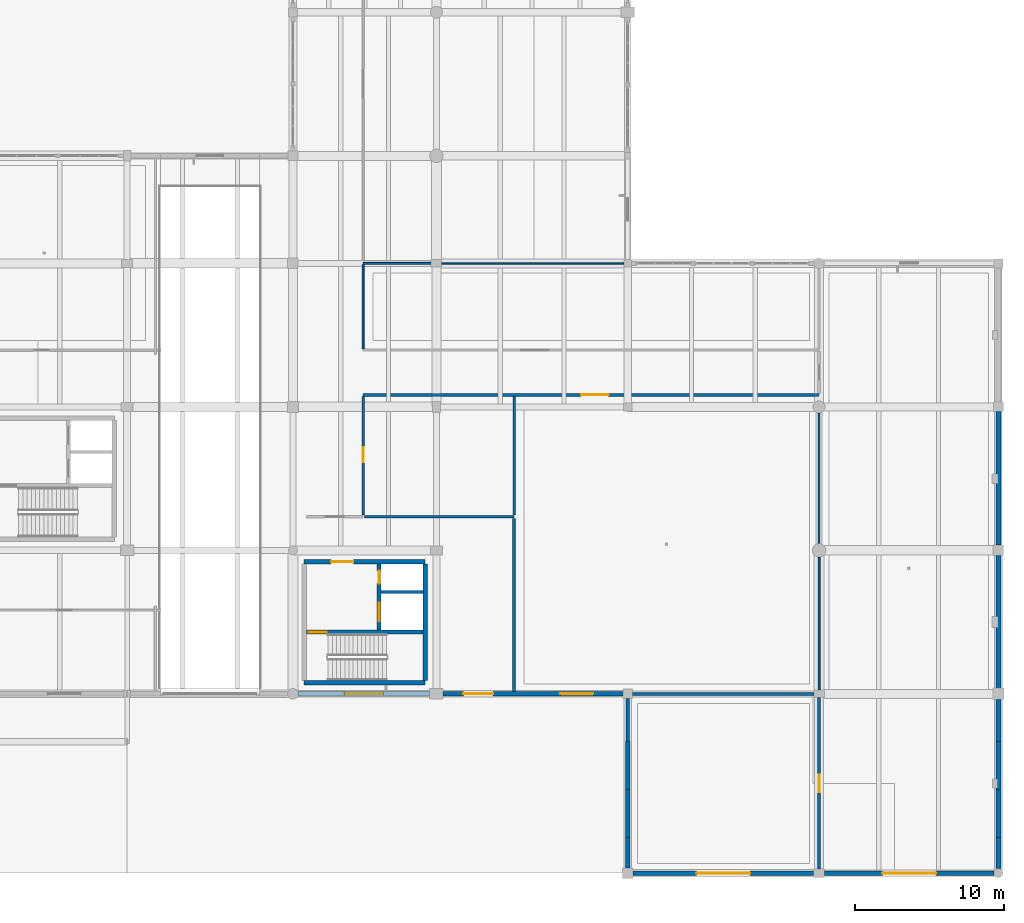
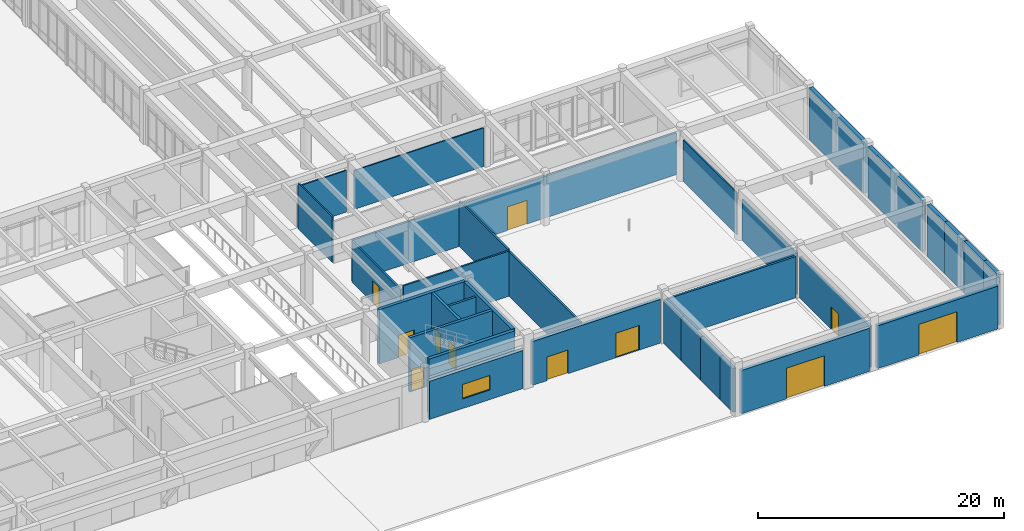
# One storey, part 115 of 138: 32 walls, 11 doors, 1 window, 12 openings.
"""IFC4 building model written with IfcOpenShell, lengths in metres."""

from ifc_helpers import new_model, si_unit, direction, frame, frame_2d, origin, place, context, subcontext, project, spatial, rectangle, extrude, material, layer, layer_set, type_object, element, fill, save


model = new_model("IFC4")

# Units and contexts
model_context = context("Model", 3, precision=1e-05, world=origin(), true_north=direction((0.0, 1.0)))
body_context = subcontext(model_context, "Body", "Model", "MODEL_VIEW")
ifc_project = project(units=[si_unit("LENGTHUNIT", "METRE"), si_unit("AREAUNIT", "SQUARE_METRE"), si_unit("VOLUMEUNIT", "CUBIC_METRE"), si_unit("PLANEANGLEUNIT", "RADIAN"), si_unit("MASSUNIT", "GRAM", prefix="KILO")], contexts=[model_context])

# Site, building, storey
site_placement = place(None, origin())
site = spatial("IfcSite", under=ifc_project, at=site_placement, CompositionType="ELEMENT")
building_placement = place(site_placement, origin())
building = spatial("IfcBuilding", under=site, at=building_placement, Name="Fikremerkos Civic Library", CompositionType="ELEMENT")
storey_placement = place(building_placement, origin())
storey = spatial("IfcBuildingStorey", under=building, at=storey_placement, Name="L00", CompositionType="ELEMENT", Elevation=0.0)

# Wall
ifc_material_1 = material(Name="Concrete C40/50", Category="concrete")
ifc_layer_1 = layer(ifc_material_1, 0.300048828125, Name="Concrete C40/50")
ifc_layer_set_1 = layer_set([ifc_layer_1], Name="Concrete C40/50")
wall_type_1 = type_object("IfcWallType", Name="Core shear wall CSW-01 300", PredefinedType="SHEAR", material=ifc_layer_set_1)
wall_1_placement = place(storey_placement, frame((133.64990234375, 12.75, 0.0), z_axis=(0.0, 0.0, 1.0), x_axis=(-1.0, 0.0, 0.0)))
element("IfcWall", 1, at=wall_1_placement, inside=storey, type_object=wall_type_1, Name="Core K4 south shear wall L00", PredefinedType="SHEAR", context=body_context, shape_type="SweptSolid", body=[
    extrude(rectangle(XDim=8.099853515625, YDim=0.300048828125, at=frame_2d((4.0498046875, 0.0))), origin(), (0.0, 0.0, 1.0), 5.39990234375),
])

# Wall, opening, door
wall_2_placement = place(storey_placement, frame((125.550048828125, 20.85009765625, 0.0), z_axis=(0.0, 0.0, 1.0), x_axis=(1.0, 0.0, 0.0)))
wall_2 = element("IfcWall", 2, at=wall_2_placement, inside=storey, type_object=wall_type_1, Name="Core K4 north shear wall L00", PredefinedType="SHEAR", context=body_context, shape_type="SweptSolid", body=[
    extrude(rectangle(XDim=8.099853515625, YDim=0.300048828125, at=frame_2d((4.0498046875, 0.0))), origin(), (0.0, 0.0, 1.0), 5.39990234375),
])
opening_1_placement = place(wall_2_placement, frame((1.800048828125, 0.0, 0.0)))
opening_1 = element("IfcOpeningElement", 3, at=opening_1_placement, cuts=wall_2, Name="Opening D107", PredefinedType="OPENING", context=body_context, shape_type="SweptSolid", body=[
    extrude(rectangle(XDim=1.5, YDim=2.25, at=frame_2d((0.75, 1.125))), frame((0.0, 0.159912109375, 0.0), z_axis=(0.0, -1.0, 0.0), x_axis=(1.0, 0.0, 0.0)), (0.0, 0.0, 1.0), 0.320068359375),
])
ifc_material_2 = material(Name="Hardwood timber and acoustic glass", Category="wood")
door_type_1 = type_object("IfcDoorType", Name="Pedestrian door DT-05 1500x2250", OperationType="NOTDEFINED", PredefinedType="DOOR", material=ifc_material_2)
door_1_placement = place(opening_1_placement, origin())
door_1 = element("IfcDoor", 4, at=door_1_placement, inside=storey, type_object=door_type_1, Name="Core K4 lobby fire door D107 L00", OperationType="SINGLE_SWING_LEFT", OverallHeight=2.25, OverallWidth=1.5, PredefinedType="DOOR", context=body_context, shape_type="SweptSolid", body=[
    extrude(rectangle(XDim=1.5, YDim=2.25, at=frame_2d((0.75, 1.125))), frame((0.0, 0.032470703125, 0.0), z_axis=(0.0, -1.0, 0.0), x_axis=(1.0, 0.0, 0.0)), (0.0, 0.0, 1.0), 0.06494140625),
])
fill(opening_1, door_1)

# Wall
wall_3_placement = place(storey_placement, frame((133.64990234375, 20.697998046875, 0.0), z_axis=(0.0, 0.0, 1.0), x_axis=(0.0, -1.0, 0.0)))
element("IfcWall", 5, at=wall_3_placement, inside=storey, type_object=wall_type_1, Name="Core K4 east shear wall L00", PredefinedType="SHEAR", context=body_context, shape_type="SweptSolid", body=[
    extrude(rectangle(XDim=7.7958984375, YDim=0.300048828125, at=frame_2d((3.89794921875, 0.0))), origin(), (0.0, 0.0, 1.0), 5.39990234375),
])

# Wall, opening, door
ifc_layer_2 = layer(ifc_material_1, 0.260009765625, Name="Concrete C40/50")
ifc_layer_set_2 = layer_set([ifc_layer_2], Name="Concrete C40/50")
wall_type_2 = type_object("IfcWallType", Name="Core shear wall CSW-02 260", PredefinedType="SHEAR", material=ifc_layer_set_2)
wall_4_placement = place(storey_placement, frame((125.701904296875, 16.1298828125, 0.0), z_axis=(0.0, 0.0, 1.0), x_axis=(1.0, 0.0, 0.0)))
wall_4 = element("IfcWall", 6, at=wall_4_placement, inside=storey, type_object=wall_type_2, Name="Core K4 stair compartment wall L00", PredefinedType="SHEAR", context=body_context, shape_type="SweptSolid", body=[
    extrude(rectangle(XDim=7.796142578125, YDim=0.260009765625, at=frame_2d((3.89794921875, 0.0))), origin(), (0.0, 0.0, 1.0), 5.39990234375),
])
opening_2_placement = place(wall_4_placement, frame((0.14794921875, 0.0, 0.0)))
opening_2 = element("IfcOpeningElement", 7, at=opening_2_placement, cuts=wall_4, Name="Opening D108", PredefinedType="OPENING", context=body_context, shape_type="SweptSolid", body=[
    extrude(rectangle(XDim=1.199951171875, YDim=2.199951171875, at=frame_2d((0.60009765625, 1.10009765625))), frame((0.0, 0.139892578125, 0.0), z_axis=(0.0, -1.0, 0.0), x_axis=(1.0, 0.0, 0.0)), (0.0, 0.0, 1.0), 0.280029296875),
])
door_type_2 = type_object("IfcDoorType", Name="Pedestrian door DT-06 1200x2200", OperationType="NOTDEFINED", PredefinedType="DOOR", material=ifc_material_2)
door_2_placement = place(opening_2_placement, origin())
door_2 = element("IfcDoor", 8, at=door_2_placement, inside=storey, type_object=door_type_2, Name="Core K4 stair fire door D108 L00", OperationType="SINGLE_SWING_RIGHT", OverallHeight=2.199951171875, OverallWidth=1.199951171875, PredefinedType="DOOR", context=body_context, shape_type="SweptSolid", body=[
    extrude(rectangle(XDim=1.199951171875, YDim=2.199951171875, at=frame_2d((0.60009765625, 1.10009765625))), frame((0.0, 0.032470703125, 0.0), z_axis=(0.0, -1.0, 0.0), x_axis=(1.0, 0.0, 0.0)), (0.0, 0.0, 1.0), 0.06494140625),
])
fill(opening_2, door_2)

# Wall, openings, doors
wall_5_placement = place(storey_placement, frame((130.570068359375, 16.261962890625, 0.0), z_axis=(0.0, 0.0, 1.0), x_axis=(0.0, 1.0, 0.0)))
wall_5 = element("IfcWall", 9, at=wall_5_placement, inside=storey, type_object=wall_type_2, Name="Core K4 lift shaft front wall L00", PredefinedType="SHEAR", context=body_context, shape_type="SweptSolid", body=[
    extrude(rectangle(XDim=4.43603515625, YDim=0.260009765625, at=frame_2d((2.218017578125, 0.0))), origin(), (0.0, 0.0, 1.0), 5.39990234375),
])
opening_3_placement = place(wall_5_placement, frame((3.113037109375, 0.0, 0.0)))
opening_3 = element("IfcOpeningElement", 10, at=opening_3_placement, cuts=wall_5, Name="Opening D109", PredefinedType="OPENING", context=body_context, shape_type="SweptSolid", body=[
    extrude(rectangle(XDim=0.85009765625, YDim=2.050048828125, at=frame_2d((0.425048828125, 1.02490234375))), frame((0.0, 0.139892578125, 0.0), z_axis=(0.0, -1.0, 0.0), x_axis=(1.0, 0.0, 0.0)), (0.0, 0.0, 1.0), 0.280029296875),
])
opening_4_placement = place(wall_5_placement, frame((0.593017578125, 0.0, 0.0)))
opening_4 = element("IfcOpeningElement", 11, at=opening_4_placement, cuts=wall_5, Name="Opening LD51", PredefinedType="OPENING", context=body_context, shape_type="SweptSolid", body=[
    extrude(rectangle(XDim=1.25, YDim=2.199951171875, at=frame_2d((0.625, 1.10009765625))), frame((0.0, 0.139892578125, 0.0), z_axis=(0.0, -1.0, 0.0), x_axis=(1.0, 0.0, 0.0)), (0.0, 0.0, 1.0), 0.280029296875),
])
ifc_material_3 = material(Name="Brushed stainless steel", Category="steel")
door_type_3 = type_object("IfcDoorType", Name="Lift landing door LDT-02 1250x2200", OperationType="NOTDEFINED", PredefinedType="DOOR", material=ifc_material_3)
door_3_placement = place(opening_4_placement, origin())
door_3 = element("IfcDoor", 12, at=door_3_placement, inside=storey, type_object=door_type_3, Name="Lift LF07 sliding landing door LD51 L00", OperationType="SLIDING_TO_LEFT", OverallHeight=2.199951171875, OverallWidth=1.25, PredefinedType="DOOR", context=body_context, shape_type="SweptSolid", body=[
    extrude(rectangle(XDim=1.25, YDim=2.199951171875, at=frame_2d((0.625, 1.10009765625))), frame((0.0, 0.032470703125, 0.0), z_axis=(0.0, -1.0, 0.0), x_axis=(1.0, 0.0, 0.0)), (0.0, 0.0, 1.0), 0.06494140625),
])
fill(opening_4, door_3)
door_type_4 = type_object("IfcDoorType", Name="Pedestrian door DT-08 850x2050", OperationType="NOTDEFINED", PredefinedType="DOOR", material=ifc_material_2)
door_4_placement = place(opening_3_placement, origin())
door_4 = element("IfcDoor", 13, at=door_4_placement, inside=storey, type_object=door_type_4, Name="Core K4 riser access fire door D109 L00", OperationType="SINGLE_SWING_RIGHT", OverallHeight=2.050048828125, OverallWidth=0.85009765625, PredefinedType="DOOR", context=body_context, shape_type="SweptSolid", body=[
    extrude(rectangle(XDim=0.85009765625, YDim=2.050048828125, at=frame_2d((0.425048828125, 1.02490234375))), frame((0.0, 0.032470703125, 0.0), z_axis=(0.0, -1.0, 0.0), x_axis=(1.0, 0.0, 0.0)), (0.0, 0.0, 1.0), 0.06494140625),
])
fill(opening_3, door_4)

# Walls
ifc_layer_3 = layer(ifc_material_1, 0.35009765625, Name="Concrete C40/50")
ifc_layer_set_3 = layer_set([ifc_layer_3], Name="Concrete C40/50")
wall_type_3 = type_object("IfcWallType", Name="Exterior solid wall ESW-01 350", PredefinedType="SOLIDWALL", material=ifc_layer_set_3)
wall_6_placement = place(storey_placement, frame((172.0, 30.876953125, 0.0), z_axis=(0.0, 0.0, 1.0), x_axis=(0.0, -1.0, 0.0)))
element("IfcWall", 14, at=wall_6_placement, inside=storey, type_object=wall_type_3, Name="Party boundary wall ESW-01 L00 #308", PredefinedType="SOLIDWALL", context=body_context, shape_type="SweptSolid", body=[
    extrude(rectangle(XDim=8.928955078125, YDim=0.35009765625, at=frame_2d((4.46435546875, 0.0))), origin(), (0.0, 0.0, 1.0), 5.10009765625),
])
wall_7_placement = place(storey_placement, frame((172.0, 21.251953125, 0.0), z_axis=(0.0, 0.0, 1.0), x_axis=(0.0, -1.0, 0.0)))
element("IfcWall", 15, at=wall_7_placement, inside=storey, type_object=wall_type_3, Name="Party boundary wall ESW-01 L00 #309", PredefinedType="SOLIDWALL", context=body_context, shape_type="SweptSolid", body=[
    extrude(rectangle(XDim=8.87890625, YDim=0.35009765625, at=frame_2d((4.439453125, 0.0))), origin(), (0.0, 0.0, 1.0), 5.10009765625),
])
wall_8_placement = place(storey_placement, frame((172.0, 11.626953125, 0.0), z_axis=(0.0, 0.0, 1.0), x_axis=(0.0, -1.0, 0.0)))
element("IfcWall", 16, at=wall_8_placement, inside=storey, type_object=wall_type_3, Name="Party boundary wall ESW-01 L00 #310", PredefinedType="SOLIDWALL", context=body_context, shape_type="SweptSolid", body=[
    extrude(rectangle(XDim=2.824951171875, YDim=0.35009765625, at=frame_2d((1.41259765625, 0.0))), origin(), (0.0, 0.0, 1.0), 5.159912109375),
])
wall_9_placement = place(storey_placement, frame((172.0, 8.798095703125, 0.0), z_axis=(0.0, 0.0, 1.0), x_axis=(0.0, -1.0, 0.0)))
element("IfcWall", 17, at=wall_9_placement, inside=storey, type_object=wall_type_3, Name="Party boundary wall ESW-01 L00 #311", PredefinedType="SOLIDWALL", context=body_context, shape_type="SweptSolid", body=[
    extrude(rectangle(XDim=3.196044921875, YDim=0.35009765625, at=frame_2d((1.59814453125, 0.0))), origin(), (0.0, 0.0, 1.0), 5.159912109375),
])
wall_10_placement = place(storey_placement, frame((172.0, 5.597900390625, 0.0), z_axis=(0.0, 0.0, 1.0), x_axis=(0.0, -1.0, 0.0)))
element("IfcWall", 18, at=wall_10_placement, inside=storey, type_object=wall_type_3, Name="Party boundary wall ESW-01 L00 #312", PredefinedType="SOLIDWALL", context=body_context, shape_type="SweptSolid", body=[
    extrude(rectangle(XDim=3.19580078125, YDim=0.35009765625, at=frame_2d((1.597900390625, 0.0))), origin(), (0.0, 0.0, 1.0), 5.159912109375),
])
wall_11_placement = place(storey_placement, frame((172.0, 2.39794921875, 0.0), z_axis=(0.0, 0.0, 1.0), x_axis=(0.0, -1.0, 0.0)))
element("IfcWall", 19, at=wall_11_placement, inside=storey, type_object=wall_type_3, Name="Party boundary wall ESW-01 L00 #313", PredefinedType="SOLIDWALL", context=body_context, shape_type="SweptSolid", body=[
    extrude(rectangle(XDim=2.099853515625, YDim=0.35009765625, at=frame_2d((1.0498046875, 0.0))), origin(), (0.0, 0.0, 1.0), 5.159912109375),
])

# Wall, opening, door
ifc_material_4 = material(Name="Precast concrete C40/50", Category="concrete")
ifc_layer_4 = layer(ifc_material_4, 0.320068359375, Name="Precast concrete C40/50")
ifc_layer_set_4 = layer_set([ifc_layer_4], Name="Precast concrete C40/50")
wall_type_4 = type_object("IfcWallType", Name="Exterior solid wall ESW-02 320", PredefinedType="SOLIDWALL", material=ifc_layer_set_4)
wall_12_placement = place(storey_placement, frame((171.701904296875, 0.0, 0.0), z_axis=(0.0, 0.0, 1.0), x_axis=(-1.0, 0.0, 0.0)))
wall_12 = element("IfcWall", 20, at=wall_12_placement, inside=storey, type_object=wall_type_4, Name="Exterior ground wall ESW-02 #314", PredefinedType="SOLIDWALL", context=body_context, shape_type="SweptSolid", body=[
    extrude(rectangle(XDim=11.328857421875, YDim=0.320068359375, at=frame_2d((5.66455078125, 0.0))), origin(), (0.0, 0.0, 1.0), 4.25),
])
opening_5_placement = place(wall_12_placement, frame((3.864501953125, 0.0, 0.0)))
opening_5 = element("IfcOpeningElement", 21, at=opening_5_placement, cuts=wall_12, Name="Opening VG05", PredefinedType="OPENING", context=body_context, shape_type="SweptSolid", body=[
    extrude(rectangle(XDim=3.60009765625, YDim=3.050048828125, at=frame_2d((1.800048828125, 1.52490234375))), frame((0.0, 0.169921875, 0.0), z_axis=(0.0, -1.0, 0.0), x_axis=(1.0, 0.0, 0.0)), (0.0, 0.0, 1.0), 0.340087890625),
])
ifc_material_5 = material(Name="Galvanized insulated steel lath", Category="steel")
door_type_5 = type_object("IfcDoorType", Name="Service roller gate VG-03 3600x3050", OperationType="ROLLINGUP", PredefinedType="GATE", material=ifc_material_5)
door_5_placement = place(opening_5_placement, origin())
door_5 = element("IfcDoor", 22, at=door_5_placement, inside=storey, type_object=door_type_5, Name="Service roller gate VG05", OperationType="ROLLINGUP", OverallHeight=3.050048828125, OverallWidth=3.60009765625, PredefinedType="GATE", context=body_context, shape_type="SweptSolid", body=[
    extrude(rectangle(XDim=3.60009765625, YDim=3.050048828125, at=frame_2d((1.800048828125, 1.52490234375))), frame((0.0, 0.032470703125, 0.0), z_axis=(0.0, -1.0, 0.0), x_axis=(1.0, 0.0, 0.0)), (0.0, 0.0, 1.0), 0.06494140625),
])
fill(opening_5, door_5)

wall_13_placement = place(storey_placement, frame((159.626953125, 0.0, 0.0), z_axis=(0.0, 0.0, 1.0), x_axis=(-1.0, 0.0, 0.0)))
wall_13 = element("IfcWall", 23, at=wall_13_placement, inside=storey, type_object=wall_type_4, Name="Exterior ground wall ESW-02 #315", PredefinedType="SOLIDWALL", context=body_context, shape_type="SweptSolid", body=[
    extrude(rectangle(XDim=12.078857421875, YDim=0.320068359375, at=frame_2d((6.03955078125, 0.0))), origin(), (0.0, 0.0, 1.0), 4.300048828125),
])
opening_6_placement = place(wall_13_placement, frame((4.239501953125, 0.0, 0.0)))
opening_6 = element("IfcOpeningElement", 24, at=opening_6_placement, cuts=wall_13, Name="Opening VG06", PredefinedType="OPENING", context=body_context, shape_type="SweptSolid", body=[
    extrude(rectangle(XDim=3.60009765625, YDim=3.050048828125, at=frame_2d((1.800048828125, 1.52490234375))), frame((0.0, 0.169921875, 0.0), z_axis=(0.0, -1.0, 0.0), x_axis=(1.0, 0.0, 0.0)), (0.0, 0.0, 1.0), 0.340087890625),
])
door_6_placement = place(opening_6_placement, origin())
door_6 = element("IfcDoor", 25, at=door_6_placement, inside=storey, type_object=door_type_5, Name="Service roller gate VG06", OperationType="ROLLINGUP", OverallHeight=3.050048828125, OverallWidth=3.60009765625, PredefinedType="GATE", context=body_context, shape_type="SweptSolid", body=[
    extrude(rectangle(XDim=3.60009765625, YDim=3.050048828125, at=frame_2d((1.800048828125, 1.52490234375))), frame((0.0, 0.032470703125, 0.0), z_axis=(0.0, -1.0, 0.0), x_axis=(1.0, 0.0, 0.0)), (0.0, 0.0, 1.0), 0.06494140625),
])
fill(opening_6, door_6)

# Wall
wall_14_placement = place(storey_placement, frame((147.199951171875, 0.347900390625, 0.0), z_axis=(0.0, 0.0, 1.0), x_axis=(0.0, 1.0, 0.0)))
element("IfcWall", 26, at=wall_14_placement, inside=storey, type_object=wall_type_4, Name="Exterior solid wall ESW-02 L00 #316", PredefinedType="SOLIDWALL", context=body_context, shape_type="SweptSolid", body=[
    extrude(rectangle(XDim=2.050048828125, YDim=0.320068359375, at=frame_2d((1.02490234375, 0.0))), origin(), (0.0, 0.0, 1.0), 4.35009765625),
])

# Wall, openings, doors
wall_15_placement = place(storey_placement, frame((146.876953125, 12.0, 0.0), z_axis=(0.0, 0.0, 1.0), x_axis=(-1.0, 0.0, 0.0)))
wall_15 = element("IfcWall", 27, at=wall_15_placement, inside=storey, type_object=wall_type_4, Name="Exterior ground wall ESW-02 #320", PredefinedType="SOLIDWALL", context=body_context, shape_type="SweptSolid", body=[
    extrude(rectangle(XDim=12.029052734375, YDim=0.320068359375, at=frame_2d((6.0146484375, 0.0))), origin(), (0.0, 0.0, 1.0), 4.35009765625),
])
opening_7_placement = place(wall_15_placement, frame((8.677001953125, 0.0, 0.0)))
opening_7 = element("IfcOpeningElement", 28, at=opening_7_placement, cuts=wall_15, Name="Opening D021", PredefinedType="OPENING", context=body_context, shape_type="SweptSolid", body=[
    extrude(rectangle(XDim=2.0, YDim=2.35009765625, at=frame_2d((1.0, 1.175048828125))), frame((0.0, 0.169921875, 0.0), z_axis=(0.0, -1.0, 0.0), x_axis=(1.0, 0.0, 0.0)), (0.0, 0.0, 1.0), 0.340087890625),
])
opening_8_placement = place(wall_15_placement, frame((1.97705078125, 0.0, 0.0)))
opening_8 = element("IfcOpeningElement", 29, at=opening_8_placement, cuts=wall_15, Name="Opening D022", PredefinedType="OPENING", context=body_context, shape_type="SweptSolid", body=[
    extrude(rectangle(XDim=2.199951171875, YDim=2.449951171875, at=frame_2d((1.10009765625, 1.22509765625))), frame((0.0, 0.169921875, 0.0), z_axis=(0.0, -1.0, 0.0), x_axis=(1.0, 0.0, 0.0)), (0.0, 0.0, 1.0), 0.340087890625),
])
ifc_material_6 = material(Name="Thermally broken bronze aluminium and glass", Category="aluminium")
door_type_6 = type_object("IfcDoorType", Name="Pedestrian door DT-10 2200x2450", OperationType="NOTDEFINED", PredefinedType="DOOR", material=ifc_material_6)
door_7_placement = place(opening_8_placement, origin())
door_7 = element("IfcDoor", 30, at=door_7_placement, inside=storey, type_object=door_type_6, Name="Ground final exit pedestrian door D022", OperationType="SINGLE_SWING_LEFT", OverallHeight=2.449951171875, OverallWidth=2.199951171875, PredefinedType="DOOR", context=body_context, shape_type="SweptSolid", body=[
    extrude(rectangle(XDim=2.199951171875, YDim=2.449951171875, at=frame_2d((1.10009765625, 1.22509765625))), frame((0.0, 0.032470703125, 0.0), z_axis=(0.0, -1.0, 0.0), x_axis=(1.0, 0.0, 0.0)), (0.0, 0.0, 1.0), 0.06494140625),
])
fill(opening_8, door_7)
door_type_7 = type_object("IfcDoorType", Name="Pedestrian door DT-11 2000x2350", OperationType="NOTDEFINED", PredefinedType="DOOR", material=ifc_material_6)
door_8_placement = place(opening_7_placement, origin())
door_8 = element("IfcDoor", 31, at=door_8_placement, inside=storey, type_object=door_type_7, Name="Core K4 final exit discharge door D021", OperationType="SINGLE_SWING_RIGHT", OverallHeight=2.35009765625, OverallWidth=2.0, PredefinedType="DOOR", context=body_context, shape_type="SweptSolid", body=[
    extrude(rectangle(XDim=2.0, YDim=2.35009765625, at=frame_2d((1.0, 1.175048828125))), frame((0.0, 0.032470703125, 0.0), z_axis=(0.0, -1.0, 0.0), x_axis=(1.0, 0.0, 0.0)), (0.0, 0.0, 1.0), 0.06494140625),
])
fill(opening_7, door_8)

# Wall, opening, window
wall_16_placement = place(storey_placement, frame((133.951904296875, 12.0, 0.0), z_axis=(0.0, 0.0, 1.0), x_axis=(-1.0, 0.0, 0.0)))
wall_16 = element("IfcWall", 32, at=wall_16_placement, inside=storey, type_object=wall_type_4, Name="Exterior solid wall ESW-02 L00 #321", PredefinedType="SOLIDWALL", context=body_context, shape_type="SweptSolid", body=[
    extrude(rectangle(XDim=8.803955078125, YDim=0.320068359375, at=frame_2d((4.40185546875, 0.0))), origin(), (0.0, 0.0, 1.0), 3.800048828125),
])
opening_9_placement = place(wall_16_placement, frame((3.10205078125, 0.0, 0.949951171875)))
opening_9 = element("IfcOpeningElement", 33, at=opening_9_placement, cuts=wall_16, Name="Opening CWND-12", PredefinedType="OPENING", context=body_context, shape_type="SweptSolid", body=[
    extrude(rectangle(XDim=2.60009765625, YDim=1.449951171875, at=frame_2d((1.300048828125, 0.72509765625))), frame((0.0, 0.169921875, 0.0), z_axis=(0.0, -1.0, 0.0), x_axis=(1.0, 0.0, 0.0)), (0.0, 0.0, 1.0), 0.340087890625),
])
ifc_material_7 = material(Name="Solar control double glazing", Category="glass")
window_type = type_object("IfcWindowType", Name="Courtyard window CWND-12 2600x1450", PartitioningType="SINGLE_PANEL", PredefinedType="WINDOW", material=ifc_material_7)
window_placement = place(opening_9_placement, origin())
window = element("IfcWindow", 34, at=window_placement, inside=storey, type_object=window_type, Name="Courtyard window CWND-12 L00 #12", OverallHeight=1.449951171875, OverallWidth=2.60009765625, PartitioningType="SINGLE_PANEL", PredefinedType="WINDOW", context=body_context, shape_type="SweptSolid", body=[
    extrude(rectangle(XDim=2.60009765625, YDim=1.449951171875, at=frame_2d((1.300048828125, 0.72509765625))), frame((0.0, 0.032470703125, 0.0), z_axis=(0.0, -1.0, 0.0), x_axis=(1.0, 0.0, 0.0)), (0.0, 0.0, 1.0), 0.06494140625),
])
fill(opening_9, window)

# Walls
ifc_layer_5 = layer(ifc_material_4, 0.300048828125, Name="Precast concrete C40/50")
ifc_layer_set_5 = layer_set([ifc_layer_5], Name="Precast concrete C40/50")
wall_type_5 = type_object("IfcWallType", Name="Exterior solid wall ESW-03 300", PredefinedType="SOLIDWALL", material=ifc_layer_set_5)
wall_17_placement = place(storey_placement, frame((147.199951171875, 2.402099609375, 0.0), z_axis=(0.0, 0.0, 1.0), x_axis=(0.0, 1.0, 0.0)))
element("IfcWall", 35, at=wall_17_placement, inside=storey, type_object=wall_type_5, Name="Exterior solid wall ESW-03 L00 #317", PredefinedType="SOLIDWALL", context=body_context, shape_type="SweptSolid", body=[
    extrude(rectangle(XDim=3.19580078125, YDim=0.300048828125, at=frame_2d((1.597900390625, 0.0))), origin(), (0.0, 0.0, 1.0), 4.35009765625),
])
ifc_layer_6 = layer(ifc_material_4, 0.280029296875, Name="Precast concrete C40/50")
ifc_layer_set_6 = layer_set([ifc_layer_6], Name="Precast concrete C40/50")
wall_type_6 = type_object("IfcWallType", Name="Exterior solid wall ESW-04 280", PredefinedType="SOLIDWALL", material=ifc_layer_set_6)
wall_18_placement = place(storey_placement, frame((147.199951171875, 5.60205078125, 0.0), z_axis=(0.0, 0.0, 1.0), x_axis=(0.0, 1.0, 0.0)))
element("IfcWall", 36, at=wall_18_placement, inside=storey, type_object=wall_type_6, Name="Exterior solid wall ESW-04 L00 #318", PredefinedType="SOLIDWALL", context=body_context, shape_type="SweptSolid", body=[
    extrude(rectangle(XDim=3.196044921875, YDim=0.280029296875, at=frame_2d((1.59814453125, 0.0))), origin(), (0.0, 0.0, 1.0), 4.35009765625),
])
ifc_layer_7 = layer(ifc_material_4, 0.25, Name="Precast concrete C40/50")
ifc_layer_set_7 = layer_set([ifc_layer_7], Name="Precast concrete C40/50")
wall_type_7 = type_object("IfcWallType", Name="Exterior solid wall ESW-05 250", PredefinedType="SOLIDWALL", material=ifc_layer_set_7)
wall_19_placement = place(storey_placement, frame((147.199951171875, 8.802001953125, 0.0), z_axis=(0.0, 0.0, 1.0), x_axis=(0.0, 1.0, 0.0)))
element("IfcWall", 37, at=wall_19_placement, inside=storey, type_object=wall_type_7, Name="Exterior solid wall ESW-05 L00 #319", PredefinedType="SOLIDWALL", context=body_context, shape_type="SweptSolid", body=[
    extrude(rectangle(XDim=2.875, YDim=0.25, at=frame_2d((1.4375, 0.0))), origin(), (0.0, 0.0, 1.0), 4.35009765625),
])
ifc_material_8 = material(Name="Acoustic concrete blockwork", Category="masonry")
ifc_layer_8 = layer(ifc_material_8, 0.18994140625, Name="Acoustic concrete blockwork")
ifc_layer_set_8 = layer_set([ifc_layer_8], Name="Acoustic concrete blockwork")
wall_type_8 = type_object("IfcWallType", Name="Interior partition wall IPW-01 190", PredefinedType="PARTITIONING", material=ifc_layer_set_8)
wall_20_placement = place(storey_placement, frame((147.528076171875, 12.0, 0.0), z_axis=(0.0, 0.0, 1.0), x_axis=(1.0, 0.0, 0.0)))
element("IfcWall", 38, at=wall_20_placement, inside=storey, type_object=wall_type_8, Name="Interior wall IPW-01 L00 #86", PredefinedType="PARTITIONING", context=body_context, shape_type="SweptSolid", body=[
    extrude(rectangle(XDim=12.118896484375, YDim=0.18994140625, at=frame_2d((6.0595703125, 0.0))), origin(), (0.0, 0.0, 1.0), 4.090087890625),
])

# Wall, opening, door
wall_21_placement = place(storey_placement, frame((160.0, 0.278076171875, 0.0), z_axis=(0.0, 0.0, 1.0), x_axis=(0.0, 1.0, 0.0)))
wall_21 = element("IfcWall", 39, at=wall_21_placement, inside=storey, type_object=wall_type_8, Name="Interior wall IPW-01 L00 #96", PredefinedType="PARTITIONING", context=body_context, shape_type="SweptSolid", body=[
    extrude(rectangle(XDim=11.468994140625, YDim=0.18994140625, at=frame_2d((5.734375, 0.0))), origin(), (0.0, 0.0, 1.0), 4.090087890625),
])
opening_10_placement = place(wall_21_placement, frame((5.1220703125, 0.0, 0.0)))
opening_10 = element("IfcOpeningElement", 40, at=opening_10_placement, cuts=wall_21, Name="Opening D180", PredefinedType="OPENING", context=body_context, shape_type="SweptSolid", body=[
    extrude(rectangle(XDim=1.199951171875, YDim=2.199951171875, at=frame_2d((0.60009765625, 1.10009765625))), frame((0.0, 0.10498046875, 0.0), z_axis=(0.0, -1.0, 0.0), x_axis=(1.0, 0.0, 0.0)), (0.0, 0.0, 1.0), 0.2099609375),
])
door_9_placement = place(opening_10_placement, origin())
door_9 = element("IfcDoor", 41, at=door_9_placement, inside=storey, type_object=door_type_2, Name="Interior door D180 L00", OperationType="SINGLE_SWING_RIGHT", OverallHeight=2.199951171875, OverallWidth=1.199951171875, PredefinedType="DOOR", context=body_context, shape_type="SweptSolid", body=[
    extrude(rectangle(XDim=1.199951171875, YDim=2.199951171875, at=frame_2d((0.60009765625, 1.10009765625))), frame((0.0, 0.032470703125, 0.0), z_axis=(0.0, -1.0, 0.0), x_axis=(1.0, 0.0, 0.0)), (0.0, 0.0, 1.0), 0.06494140625),
])
fill(opening_10, door_9)

wall_22_placement = place(storey_placement, frame((129.5, 32.0, 0.0), z_axis=(0.0, 0.0, 1.0), x_axis=(1.0, 0.0, 0.0)))
wall_22 = element("IfcWall", 42, at=wall_22_placement, inside=storey, type_object=wall_type_8, Name="Interior wall IPW-01 L00 #112", PredefinedType="PARTITIONING", context=body_context, shape_type="SweptSolid", body=[
    extrude(rectangle(XDim=30.5, YDim=0.18994140625, at=frame_2d((15.25, 0.0))), origin(), (0.0, 0.0, 1.0), 4.139892578125),
])
opening_11_placement = place(wall_22_placement, frame((14.574951171875, 0.0, 0.0)))
opening_11 = element("IfcOpeningElement", 43, at=opening_11_placement, cuts=wall_22, Name="Opening D177", PredefinedType="OPENING", context=body_context, shape_type="SweptSolid", body=[
    extrude(rectangle(XDim=1.85009765625, YDim=2.35009765625, at=frame_2d((0.925048828125, 1.175048828125))), frame((0.0, 0.10498046875, 0.0), z_axis=(0.0, -1.0, 0.0), x_axis=(1.0, 0.0, 0.0)), (0.0, 0.0, 1.0), 0.2099609375),
])
door_type_8 = type_object("IfcDoorType", Name="Pedestrian door DT-09 1850x2350", OperationType="NOTDEFINED", PredefinedType="DOOR", material=ifc_material_2)
door_10_placement = place(opening_11_placement, origin())
door_10 = element("IfcDoor", 44, at=door_10_placement, inside=storey, type_object=door_type_8, Name="Interior door D177 L00", OperationType="SINGLE_SWING_RIGHT", OverallHeight=2.35009765625, OverallWidth=1.85009765625, PredefinedType="DOOR", context=body_context, shape_type="SweptSolid", body=[
    extrude(rectangle(XDim=1.85009765625, YDim=2.35009765625, at=frame_2d((0.925048828125, 1.175048828125))), frame((0.0, 0.032470703125, 0.0), z_axis=(0.0, -1.0, 0.0), x_axis=(1.0, 0.0, 0.0)), (0.0, 0.0, 1.0), 0.06494140625),
])
fill(opening_11, door_10)

# Walls
wall_23_placement = place(storey_placement, frame((139.60009765625, 12.1630859375, 0.0), z_axis=(0.0, 0.0, 1.0), x_axis=(0.0, 1.0, 0.0)))
element("IfcWall", 45, at=wall_23_placement, inside=storey, type_object=wall_type_8, Name="Interior wall IPW-01 L00 #140", PredefinedType="PARTITIONING", context=body_context, shape_type="SweptSolid", body=[
    extrude(rectangle(XDim=11.58203125, YDim=0.18994140625, at=frame_2d((5.791015625, 0.0))), origin(), (0.0, 0.0, 1.0), 4.43994140625),
])
ifc_material_9 = material(Name="Acoustic gypsum stud partition")
ifc_layer_9 = layer(ifc_material_9, 0.14990234375, Name="Acoustic gypsum stud partition")
ifc_layer_set_9 = layer_set([ifc_layer_9], Name="Acoustic gypsum stud partition")
wall_type_9 = type_object("IfcWallType", Name="Interior partition wall IPW-02 150", PredefinedType="PARTITIONING", material=ifc_layer_set_9)
wall_24_placement = place(storey_placement, frame((129.580078125, 23.85009765625, 0.0), z_axis=(0.0, 0.0, 1.0), x_axis=(1.0, 0.0, 0.0)))
element("IfcWall", 46, at=wall_24_placement, inside=storey, type_object=wall_type_9, Name="Interior wall IPW-02 L00 #117", PredefinedType="PARTITIONING", context=body_context, shape_type="SweptSolid", body=[
    extrude(rectangle(XDim=10.02001953125, YDim=0.14990234375, at=frame_2d((5.010009765625, 0.0))), origin(), (0.0, 0.0, 1.0), 4.489990234375),
])

# Wall, opening, door
wall_25_placement = place(storey_placement, frame((129.5, 23.955078125, 0.0), z_axis=(0.0, 0.0, 1.0), x_axis=(0.0, 1.0, 0.0)))
wall_25 = element("IfcWall", 47, at=wall_25_placement, inside=storey, type_object=wall_type_9, Name="Interior wall IPW-02 L00 #137", PredefinedType="PARTITIONING", context=body_context, shape_type="SweptSolid", body=[
    extrude(rectangle(XDim=7.93994140625, YDim=0.14990234375, at=frame_2d((3.969970703125, 0.0))), origin(), (0.0, 0.0, 1.0), 4.090087890625),
])
opening_12_placement = place(wall_25_placement, frame((3.544921875, 0.0, 0.0)))
opening_12 = element("IfcOpeningElement", 48, at=opening_12_placement, cuts=wall_25, Name="Opening D178", PredefinedType="OPENING", context=body_context, shape_type="SweptSolid", body=[
    extrude(rectangle(XDim=1.0, YDim=2.199951171875, at=frame_2d((0.5, 1.10009765625))), frame((0.0, 0.0849609375, 0.0), z_axis=(0.0, -1.0, 0.0), x_axis=(1.0, 0.0, 0.0)), (0.0, 0.0, 1.0), 0.169921875),
])
door_type_9 = type_object("IfcDoorType", Name="Pedestrian door DT-01 1000x2200", OperationType="NOTDEFINED", PredefinedType="DOOR", material=ifc_material_2)
door_11_placement = place(opening_12_placement, origin())
door_11 = element("IfcDoor", 49, at=door_11_placement, inside=storey, type_object=door_type_9, Name="Interior door D178 L00", OperationType="SINGLE_SWING_LEFT", OverallHeight=2.199951171875, OverallWidth=1.0, PredefinedType="DOOR", context=body_context, shape_type="SweptSolid", body=[
    extrude(rectangle(XDim=1.0, YDim=2.199951171875, at=frame_2d((0.5, 1.10009765625))), frame((0.0, 0.032470703125, 0.0), z_axis=(0.0, -1.0, 0.0), x_axis=(1.0, 0.0, 0.0)), (0.0, 0.0, 1.0), 0.06494140625),
])
fill(opening_12, door_11)

# Walls
wall_26_placement = place(storey_placement, frame((139.60009765625, 23.955078125, 0.0), z_axis=(0.0, 0.0, 1.0), x_axis=(0.0, 1.0, 0.0)))
element("IfcWall", 50, at=wall_26_placement, inside=storey, type_object=wall_type_9, Name="Interior wall IPW-02 L00 #141", PredefinedType="PARTITIONING", context=body_context, shape_type="SweptSolid", body=[
    extrude(rectangle(XDim=7.93994140625, YDim=0.14990234375, at=frame_2d((3.969970703125, 0.0))), origin(), (0.0, 0.0, 1.0), 4.5400390625),
])
ifc_material_10 = material(Name="Gypsum metal stud partition")
ifc_layer_10 = layer(ifc_material_10, 0.1298828125, Name="Gypsum metal stud partition")
ifc_layer_set_10 = layer_set([ifc_layer_10], Name="Gypsum metal stud partition")
wall_type_10 = type_object("IfcWallType", Name="Interior partition wall IPW-03 130", PredefinedType="PARTITIONING", material=ifc_layer_set_10)
wall_27_placement = place(storey_placement, frame((129.5, 40.800048828125, 0.0), z_axis=(0.0, 0.0, 1.0), x_axis=(1.0, 0.0, 0.0)))
element("IfcWall", 51, at=wall_27_placement, inside=storey, type_object=wall_type_10, Name="Interior wall IPW-03 L00 #114", PredefinedType="PARTITIONING", context=body_context, shape_type="SweptSolid", body=[
    extrude(rectangle(XDim=4.547119140625, YDim=0.1298828125, at=frame_2d((2.2734375, 0.0))), origin(), (0.0, 0.0, 1.0), 4.139892578125),
])
wall_28_placement = place(storey_placement, frame((129.5, 35.10498046875, 0.0), z_axis=(0.0, 0.0, 1.0), x_axis=(0.0, 1.0, 0.0)))
element("IfcWall", 52, at=wall_28_placement, inside=storey, type_object=wall_type_10, Name="Interior wall IPW-03 L00 #138", PredefinedType="PARTITIONING", context=body_context, shape_type="SweptSolid", body=[
    extrude(rectangle(XDim=5.590087890625, YDim=0.1298828125, at=frame_2d((2.794921875, 0.0))), origin(), (0.0, 0.0, 1.0), 4.5400390625),
])
wall_29_placement = place(storey_placement, frame((160.0, 12.2529296875, 0.0), z_axis=(0.0, 0.0, 1.0), x_axis=(0.0, 1.0, 0.0)))
element("IfcWall", 53, at=wall_29_placement, inside=storey, type_object=wall_type_10, Name="Interior wall IPW-03 L00 #142", PredefinedType="PARTITIONING", context=body_context, shape_type="SweptSolid", body=[
    extrude(rectangle(XDim=8.89404296875, YDim=0.1298828125, at=frame_2d((4.447021484375, 0.0))), origin(), (0.0, 0.0, 1.0), 4.090087890625),
])
ifc_material_11 = material(Name="Lightweight metal stud partition")
ifc_layer_11 = layer(ifc_material_11, 0.110107421875, Name="Lightweight metal stud partition")
ifc_layer_set_11 = layer_set([ifc_layer_11], Name="Lightweight metal stud partition")
wall_type_11 = type_object("IfcWallType", Name="Interior partition wall IPW-04 110", PredefinedType="PARTITIONING", material=ifc_layer_set_11)
wall_30_placement = place(storey_placement, frame((134.7529296875, 40.800048828125, 0.0), z_axis=(0.0, 0.0, 1.0), x_axis=(1.0, 0.0, 0.0)))
element("IfcWall", 54, at=wall_30_placement, inside=storey, type_object=wall_type_11, Name="Interior wall IPW-04 L00 #115", PredefinedType="PARTITIONING", context=body_context, shape_type="SweptSolid", body=[
    extrude(rectangle(XDim=12.194091796875, YDim=0.110107421875, at=frame_2d((6.09716796875, 0.0))), origin(), (0.0, 0.0, 1.0), 3.85009765625),
])
wall_31_placement = place(storey_placement, frame((160.0, 22.052978515625, 0.0), z_axis=(0.0, 0.0, 1.0), x_axis=(0.0, 1.0, 0.0)))
element("IfcWall", 55, at=wall_31_placement, inside=storey, type_object=wall_type_11, Name="Interior wall IPW-04 L00 #143", PredefinedType="PARTITIONING", context=body_context, shape_type="SweptSolid", body=[
    extrude(rectangle(XDim=8.744140625, YDim=0.110107421875, at=frame_2d((4.3720703125, 0.0))), origin(), (0.0, 0.0, 1.0), 4.139892578125),
])
ifc_material_12 = material(Name="Concrete C35/45", Category="concrete")
ifc_layer_12 = layer(ifc_material_12, 0.199951171875, Name="Concrete C35/45")
ifc_layer_set_12 = layer_set([ifc_layer_12], Name="Concrete C35/45")
wall_type_12 = type_object("IfcWallType", Name="Service duct wall SDW-01 200", PredefinedType="PLUMBINGWALL", material=ifc_layer_set_12)
wall_32_placement = place(storey_placement, frame((130.701904296875, 18.800048828125, 0.0), z_axis=(0.0, 0.0, 1.0), x_axis=(1.0, 0.0, 0.0)))
element("IfcWall", 56, at=wall_32_placement, inside=storey, type_object=wall_type_12, Name="Core K4 lift-riser divider wall L00", PredefinedType="PLUMBINGWALL", context=body_context, shape_type="SweptSolid", body=[
    extrude(rectangle(XDim=2.796142578125, YDim=0.199951171875, at=frame_2d((1.39794921875, 0.0))), origin(), (0.0, 0.0, 1.0), 5.10009765625),
])

save(model, "model.ifc")
